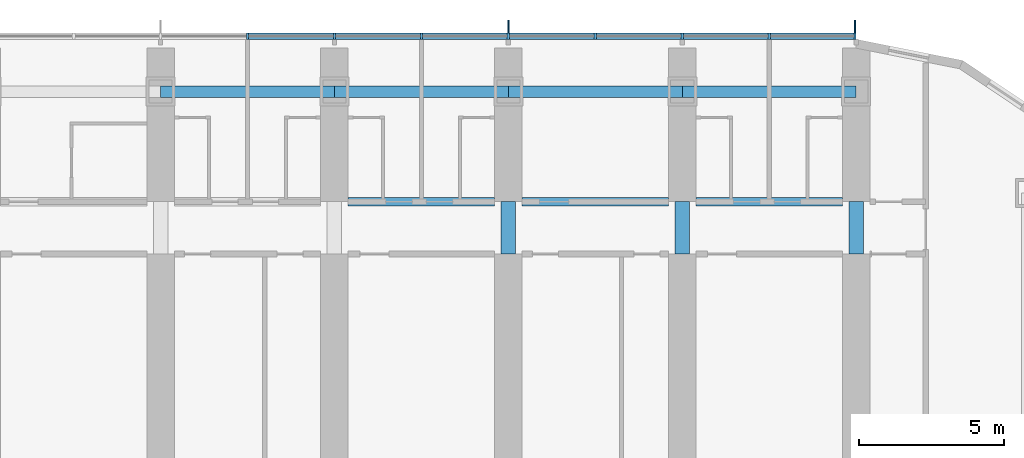
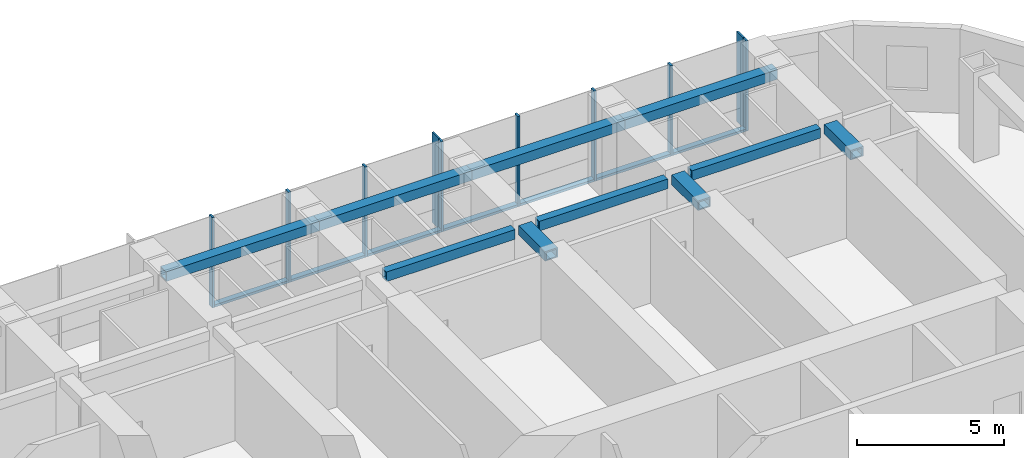
# One storey, part 5 of 21: 17 members, 10 beams, 1 element without a shape of its own.
"""IFC4 building model written with IfcOpenShell, lengths in metres."""

from ifc_helpers import new_model, si_unit, direction, frame, origin, origin_2d, place, context, subcontext, project, spatial, rectangle, hollow_rectangle, extrude, material, material_profile, profile_set, type_object, element, aggregate, save


model = new_model("IFC4")

# Units and contexts
model_context = context("Model", 3, precision=1e-05, world=origin(), true_north=direction((0.0, 1.0)))
body_context = subcontext(model_context, "Body", "Model", "MODEL_VIEW")
ifc_project = project(units=[si_unit("LENGTHUNIT", "METRE"), si_unit("AREAUNIT", "SQUARE_METRE"), si_unit("VOLUMEUNIT", "CUBIC_METRE"), si_unit("PLANEANGLEUNIT", "RADIAN"), si_unit("MASSUNIT", "GRAM", prefix="KILO")], contexts=[model_context])

# Site, building, storey
site_placement = place(None, origin())
site = spatial("IfcSite", under=ifc_project, at=site_placement, CompositionType="ELEMENT")
building_placement = place(site_placement, origin())
building = spatial("IfcBuilding", under=site, at=building_placement, Name="Orbita Commons", CompositionType="ELEMENT")
storey_placement = place(building_placement, frame((0.0, 0.0, 103.14990234375)))
storey = spatial("IfcBuildingStorey", under=building, at=storey_placement, Name="L25", CompositionType="ELEMENT", Elevation=103.14990234375)

# Curtain wall, members
ifc_material_1 = material(Name="Anodised aluminium frame, pale silver", Category="aluminium")
curtain_wall_type = type_object("IfcCurtainWallType", Name="Unitised curtain wall CW-T, vision and spandrel", PredefinedType="NOTDEFINED", material=ifc_material_1)
curtain_wall_placement = place(storey_placement, origin())
curtain_wall = element("IfcCurtainWall", 1, at=curtain_wall_placement, inside=storey, type_object=curtain_wall_type, Name="Curtain wall north L25", PredefinedType="NOTDEFINED")
ifc_material_2 = material(Name="Anodised aluminium, pale silver", Category="aluminium")
ifc_material_profile_1 = material_profile(ifc_material_2, rectangle(XDim=0.080078125, YDim=0.219970703125, at=origin_2d()), Name="AL 80x220")
ifc_profile_set_1 = profile_set([ifc_material_profile_1], Name="Anodised aluminium, pale silver")
member_type_1 = type_object("IfcMemberType", Name="Curtain wall mullion 80x220", PredefinedType="MULLION", material=ifc_profile_set_1)
member_1_placement = place(storey_placement, frame((65.9599609375, 55.510009765625, -0.25), z_axis=(0.0, 0.0, 1.0), x_axis=(-1.0, 0.0, 0.0)))
member_1 = element("IfcMember", 2, at=member_1_placement, type_object=member_type_1, Name="Mullion 1 CW-L25-N", PredefinedType="MULLION", context=body_context, shape_type="SweptSolid", body=[
    extrude(rectangle(XDim=0.080078125, YDim=0.219970703125, at=origin_2d()), origin(), (0.0, 0.0, 1.0), 3.75),
])
member_2_placement = place(storey_placement, frame((63.0, 55.510009765625, -0.25), z_axis=(0.0, 0.0, 1.0), x_axis=(-1.0, 0.0, 0.0)))
member_2 = element("IfcMember", 3, at=member_2_placement, type_object=member_type_1, Name="Mullion 2 CW-L25-N", PredefinedType="MULLION", context=body_context, shape_type="SweptSolid", body=[
    extrude(rectangle(XDim=0.080078125, YDim=0.219970703125, at=origin_2d()), origin(), (0.0, 0.0, 1.0), 3.75),
])
member_3_placement = place(storey_placement, frame((60.0, 55.510009765625, -0.25), z_axis=(0.0, 0.0, 1.0), x_axis=(-1.0, 0.0, 0.0)))
member_3 = element("IfcMember", 4, at=member_3_placement, type_object=member_type_1, Name="Mullion 3 CW-L25-N", PredefinedType="MULLION", context=body_context, shape_type="SweptSolid", body=[
    extrude(rectangle(XDim=0.080078125, YDim=0.219970703125, at=origin_2d()), origin(), (0.0, 0.0, 1.0), 3.75),
])
member_4_placement = place(storey_placement, frame((57.0, 55.510009765625, -0.25), z_axis=(0.0, 0.0, 1.0), x_axis=(-1.0, 0.0, 0.0)))
member_4 = element("IfcMember", 5, at=member_4_placement, type_object=member_type_1, Name="Mullion 4 CW-L25-N", PredefinedType="MULLION", context=body_context, shape_type="SweptSolid", body=[
    extrude(rectangle(XDim=0.080078125, YDim=0.219970703125, at=origin_2d()), origin(), (0.0, 0.0, 1.0), 3.75),
])
member_5_placement = place(storey_placement, frame((54.0, 55.510009765625, -0.25), z_axis=(0.0, 0.0, 1.0), x_axis=(-1.0, 0.0, 0.0)))
member_5 = element("IfcMember", 6, at=member_5_placement, type_object=member_type_1, Name="Mullion 5 CW-L25-N", PredefinedType="MULLION", context=body_context, shape_type="SweptSolid", body=[
    extrude(rectangle(XDim=0.080078125, YDim=0.219970703125, at=origin_2d()), origin(), (0.0, 0.0, 1.0), 3.75),
])
member_6_placement = place(storey_placement, frame((51.0, 55.510009765625, -0.25), z_axis=(0.0, 0.0, 1.0), x_axis=(-1.0, 0.0, 0.0)))
member_6 = element("IfcMember", 7, at=member_6_placement, type_object=member_type_1, Name="Mullion 6 CW-L25-N", PredefinedType="MULLION", context=body_context, shape_type="SweptSolid", body=[
    extrude(rectangle(XDim=0.080078125, YDim=0.219970703125, at=origin_2d()), origin(), (0.0, 0.0, 1.0), 3.75),
])
member_7_placement = place(storey_placement, frame((48.0, 55.510009765625, -0.25), z_axis=(0.0, 0.0, 1.0), x_axis=(-1.0, 0.0, 0.0)))
member_7 = element("IfcMember", 8, at=member_7_placement, type_object=member_type_1, Name="Mullion 7 CW-L25-N", PredefinedType="MULLION", context=body_context, shape_type="SweptSolid", body=[
    extrude(rectangle(XDim=0.080078125, YDim=0.219970703125, at=origin_2d()), origin(), (0.0, 0.0, 1.0), 3.75),
])
member_8_placement = place(storey_placement, frame((45.0, 55.510009765625, -0.25), z_axis=(0.0, 0.0, 1.0), x_axis=(-1.0, 0.0, 0.0)))
member_8 = element("IfcMember", 9, at=member_8_placement, type_object=member_type_1, Name="Mullion 8 CW-L25-N", PredefinedType="MULLION", context=body_context, shape_type="SweptSolid", body=[
    extrude(rectangle(XDim=0.080078125, YDim=0.219970703125, at=origin_2d()), origin(), (0.0, 0.0, 1.0), 3.75),
])
ifc_material_3 = material(Name="Anodised aluminium, pale silver", Category="aluminium")
ifc_material_profile_2 = material_profile(ifc_material_3, rectangle(XDim=0.219970703125, YDim=0.10009765625, at=origin_2d()), Name="AL 220x100")
ifc_profile_set_2 = profile_set([ifc_material_profile_2], Name="Anodised aluminium, pale silver")
member_type_2 = type_object("IfcMemberType", Name="Curtain wall stack transom 220x100", PredefinedType="USERDEFINED", material=ifc_profile_set_2)
member_9_placement = place(storey_placement, frame((65.919921875, 55.510009765625, -0.199951171875), z_axis=(-1.0, 0.0, 0.0), x_axis=(0.0, -1.0, 0.0)))
member_9 = element("IfcMember", 10, at=member_9_placement, type_object=member_type_2, Name="Transom 1.1 CW-L25-N", ObjectType="TRANSOM", PredefinedType="USERDEFINED", context=body_context, shape_type="SweptSolid", body=[
    extrude(rectangle(XDim=0.219970703125, YDim=0.10009765625, at=origin_2d()), origin(), (0.0, 0.0, 1.0), 2.8798828125),
])
member_10_placement = place(storey_placement, frame((62.9599609375, 55.510009765625, -0.199951171875), z_axis=(-1.0, 0.0, 0.0), x_axis=(0.0, -1.0, 0.0)))
member_10 = element("IfcMember", 11, at=member_10_placement, type_object=member_type_2, Name="Transom 2.1 CW-L25-N", ObjectType="TRANSOM", PredefinedType="USERDEFINED", context=body_context, shape_type="SweptSolid", body=[
    extrude(rectangle(XDim=0.219970703125, YDim=0.10009765625, at=origin_2d()), origin(), (0.0, 0.0, 1.0), 2.919921875),
])
member_11_placement = place(storey_placement, frame((59.9599609375, 55.510009765625, -0.199951171875), z_axis=(-1.0, 0.0, 0.0), x_axis=(0.0, -1.0, 0.0)))
member_11 = element("IfcMember", 12, at=member_11_placement, type_object=member_type_2, Name="Transom 3.1 CW-L25-N", ObjectType="TRANSOM", PredefinedType="USERDEFINED", context=body_context, shape_type="SweptSolid", body=[
    extrude(rectangle(XDim=0.219970703125, YDim=0.10009765625, at=origin_2d()), origin(), (0.0, 0.0, 1.0), 2.919921875),
])
member_12_placement = place(storey_placement, frame((56.9599609375, 55.510009765625, -0.199951171875), z_axis=(-1.0, 0.0, 0.0), x_axis=(0.0, -1.0, 0.0)))
member_12 = element("IfcMember", 13, at=member_12_placement, type_object=member_type_2, Name="Transom 4.1 CW-L25-N", ObjectType="TRANSOM", PredefinedType="USERDEFINED", context=body_context, shape_type="SweptSolid", body=[
    extrude(rectangle(XDim=0.219970703125, YDim=0.10009765625, at=origin_2d()), origin(), (0.0, 0.0, 1.0), 2.919921875),
])
member_13_placement = place(storey_placement, frame((53.9599609375, 55.510009765625, -0.199951171875), z_axis=(-1.0, 0.0, 0.0), x_axis=(0.0, -1.0, 0.0)))
member_13 = element("IfcMember", 14, at=member_13_placement, type_object=member_type_2, Name="Transom 5.1 CW-L25-N", ObjectType="TRANSOM", PredefinedType="USERDEFINED", context=body_context, shape_type="SweptSolid", body=[
    extrude(rectangle(XDim=0.219970703125, YDim=0.10009765625, at=origin_2d()), origin(), (0.0, 0.0, 1.0), 2.919921875),
])
member_14_placement = place(storey_placement, frame((50.9599609375, 55.510009765625, -0.199951171875), z_axis=(-1.0, 0.0, 0.0), x_axis=(0.0, -1.0, 0.0)))
member_14 = element("IfcMember", 15, at=member_14_placement, type_object=member_type_2, Name="Transom 6.1 CW-L25-N", ObjectType="TRANSOM", PredefinedType="USERDEFINED", context=body_context, shape_type="SweptSolid", body=[
    extrude(rectangle(XDim=0.219970703125, YDim=0.10009765625, at=origin_2d()), origin(), (0.0, 0.0, 1.0), 2.919921875),
])
member_15_placement = place(storey_placement, frame((47.9599609375, 55.510009765625, -0.199951171875), z_axis=(-1.0, 0.0, 0.0), x_axis=(0.0, -1.0, 0.0)))
member_15 = element("IfcMember", 16, at=member_15_placement, type_object=member_type_2, Name="Transom 7.1 CW-L25-N", ObjectType="TRANSOM", PredefinedType="USERDEFINED", context=body_context, shape_type="SweptSolid", body=[
    extrude(rectangle(XDim=0.219970703125, YDim=0.10009765625, at=origin_2d()), origin(), (0.0, 0.0, 1.0), 2.919921875),
])

# Beams
ifc_material_4 = material(Name="Steel ASTM A572 Gr 50 welded plate", Category="steel")
ifc_material_profile_3 = material_profile(ifc_material_4, hollow_rectangle(XDim=0.300048828125, YDim=0.39990234375, WallThickness=0.0400390625, at=origin_2d()), Name="BOX 400x300x40")
ifc_profile_set_3 = profile_set([ifc_material_profile_3], Name="Steel ASTM A572 Gr 50 welded plate")
beam_type_1 = type_object("IfcBeamType", Name="Steel corridor link BOX 400x300x40", PredefinedType="BEAM", material=ifc_profile_set_3)
for number, where, z_axis, x_axis, name in (
    (17, (48.47509765625, 49.800048828125, 3.300048828125), (1.0, 0.0, 0.0), (0.0, 1.0, 0.0), "Corridor beam NB 9-10 L25"),
    (18, (54.47509765625, 49.800048828125, 3.300048828125), (1.0, 0.0, 0.0), (0.0, 1.0, 0.0), "Corridor beam NB 10-11 L25"),
    (19, (60.47509765625, 49.800048828125, 3.300048828125), (1.0, 0.0, 0.0), (0.0, 1.0, 0.0), "Corridor beam NB 11-12 L25"),
):
    element("IfcBeam", number, at=place(storey_placement, frame(where, z_axis=z_axis, x_axis=x_axis)), inside=storey, type_object=beam_type_1, Name=name, PredefinedType="BEAM", context=body_context, shape_type="SweptSolid", body=[
        extrude(hollow_rectangle(XDim=0.300048828125, YDim=0.39990234375, WallThickness=0.0400390625, at=origin_2d()), origin(), (0.0, 0.0, 1.0), 5.0498046875),
    ])
ifc_material_5 = material(Name="Steel ASTM A572 Gr 50 welded plate", Category="steel")
ifc_material_profile_4 = material_profile(ifc_material_5, hollow_rectangle(XDim=0.5, YDim=0.39990234375, WallThickness=0.050048828125, at=origin_2d()), Name="BOX 400x500x50")
ifc_profile_set_4 = profile_set([ifc_material_profile_4], Name="Steel ASTM A572 Gr 50 welded plate")
beam_type_2 = type_object("IfcBeamType", Name="Steel coupling link BOX 400x500x50", PredefinedType="LINTEL", material=ifc_profile_set_4)
for number, where, z_axis, x_axis, name in (
    (20, (54.0, 48.0, 3.300048828125), (0.0, 1.0, 0.0), (-1.0, 0.0, 0.0), "Coupling beam 10 north L25"),
    (21, (60.0, 48.0, 3.300048828125), (0.0, 1.0, 0.0), (-1.0, 0.0, 0.0), "Coupling beam 11 north L25"),
    (22, (66.0, 48.0, 3.300048828125), (0.0, 1.0, 0.0), (-1.0, 0.0, 0.0), "Coupling beam 12 north L25"),
):
    element("IfcBeam", number, at=place(storey_placement, frame(where, z_axis=z_axis, x_axis=x_axis)), inside=storey, type_object=beam_type_2, Name=name, PredefinedType="LINTEL", context=body_context, shape_type="SweptSolid", body=[
        extrude(hollow_rectangle(XDim=0.5, YDim=0.39990234375, WallThickness=0.050048828125, at=origin_2d()), origin(), (0.0, 0.0, 1.0), 1.800048828125),
    ])
ifc_material_6 = material(Name="Steel ASTM A572 Gr 50 welded plate", Category="steel")
ifc_material_profile_5 = material_profile(ifc_material_6, hollow_rectangle(XDim=0.39990234375, YDim=0.39990234375, WallThickness=0.0400390625, at=origin_2d()), Name="BOX 400x400x40")
ifc_profile_set_5 = profile_set([ifc_material_profile_5], Name="Steel ASTM A572 Gr 50 welded plate")
beam_type_3 = type_object("IfcBeamType", Name="Steel spandrel BOX 400x400x40", PredefinedType="SPANDREL", material=ifc_profile_set_5)
for number, where, z_axis, x_axis, name in (
    (23, (42.0, 53.60009765625, 3.300048828125), (1.0, 0.0, 0.0), (0.0, 1.0, 0.0), "Spandrel beam E 8-9 L25"),
    (24, (48.0, 53.60009765625, 3.300048828125), (1.0, 0.0, 0.0), (0.0, 1.0, 0.0), "Spandrel beam E 9-10 L25"),
    (25, (54.0, 53.60009765625, 3.300048828125), (1.0, 0.0, 0.0), (0.0, 1.0, 0.0), "Spandrel beam E 10-11 L25"),
    (26, (60.0, 53.60009765625, 3.300048828125), (1.0, 0.0, 0.0), (0.0, 1.0, 0.0), "Spandrel beam E 11-12 L25"),
):
    element("IfcBeam", number, at=place(storey_placement, frame(where, z_axis=z_axis, x_axis=x_axis)), inside=storey, type_object=beam_type_3, Name=name, PredefinedType="SPANDREL", context=body_context, shape_type="SweptSolid", body=[
        extrude(hollow_rectangle(XDim=0.39990234375, YDim=0.39990234375, WallThickness=0.0400390625, at=origin_2d()), origin(), (0.0, 0.0, 1.0), 6.0),
    ])

# Member
ifc_material_7 = material(Name="Anodised aluminium, pale silver", Category="aluminium")
ifc_material_profile_6 = material_profile(ifc_material_7, rectangle(XDim=0.06005859375, YDim=0.449951171875, at=origin_2d()), Name="FIN 60x450")
ifc_profile_set_6 = profile_set([ifc_material_profile_6], Name="Anodised aluminium, pale silver")
member_type_3 = type_object("IfcMemberType", Name="Vertical fin 60x450 pale aluminium", PredefinedType="USERDEFINED", material=ifc_profile_set_6)
member_16_placement = place(storey_placement, frame((65.9599609375, 55.844970703125, -0.25), z_axis=(0.0, 0.0, 1.0), x_axis=(-1.0, 0.0, 0.0)))
member_16 = element("IfcMember", 27, at=member_16_placement, type_object=member_type_3, Name="Fin 1 CW-L25-N", ObjectType="FIN", PredefinedType="USERDEFINED", context=body_context, shape_type="SweptSolid", body=[
    extrude(rectangle(XDim=0.06005859375, YDim=0.449951171875, at=origin_2d()), origin(), (0.0, 0.0, 1.0), 3.75),
])

member_17_placement = place(storey_placement, frame((54.0, 55.844970703125, -0.25), z_axis=(0.0, 0.0, 1.0), x_axis=(-1.0, 0.0, 0.0)))
member_17 = element("IfcMember", 28, at=member_17_placement, type_object=member_type_3, Name="Fin 5 CW-L25-N", ObjectType="FIN", PredefinedType="USERDEFINED", context=body_context, shape_type="SweptSolid", body=[
    extrude(rectangle(XDim=0.06005859375, YDim=0.449951171875, at=origin_2d()), origin(), (0.0, 0.0, 1.0), 3.75),
])

aggregate(curtain_wall, [member_1, member_16, member_2, member_3, member_4, member_5, member_17, member_6, member_7, member_8, member_9, member_10, member_11, member_12, member_13, member_14, member_15])

save(model, "model.ifc")
